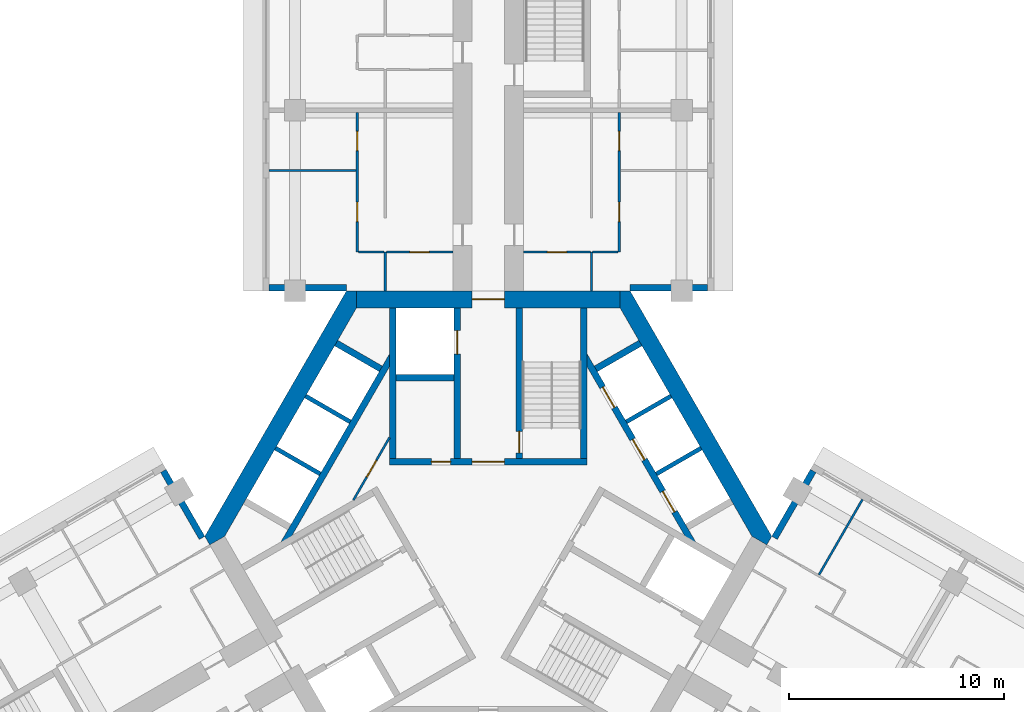
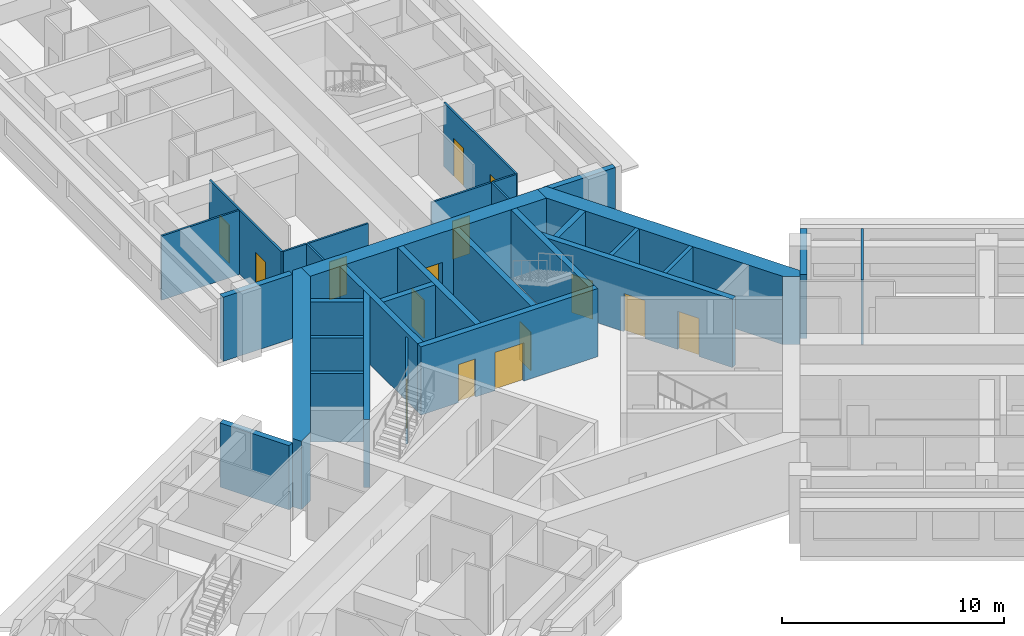
# One storey, part 8 of 15: 32 walls, 15 doors, 15 openings.
"""IFC4 building model written with IfcOpenShell, lengths in metres."""

from ifc_helpers import new_model, si_unit, direction, frame, frame_2d, origin, place, context, subcontext, project, spatial, polyline, rectangle, outline, extrude, material, layer, layer_set, type_object, element, fill, save


model = new_model("IFC4")

# Units and contexts
model_context = context("Model", 3, precision=1e-05, world=origin(), true_north=direction((0.0, 1.0)))
body_context = subcontext(model_context, "Body", "Model", "MODEL_VIEW")
ifc_project = project(units=[si_unit("LENGTHUNIT", "METRE"), si_unit("AREAUNIT", "SQUARE_METRE"), si_unit("VOLUMEUNIT", "CUBIC_METRE"), si_unit("PLANEANGLEUNIT", "RADIAN"), si_unit("MASSUNIT", "GRAM", prefix="KILO")], contexts=[model_context])

# Site, building, storey
site_placement = place(None, origin())
site = spatial("IfcSite", under=ifc_project, at=site_placement, CompositionType="ELEMENT")
building_placement = place(site_placement, origin())
building = spatial("IfcBuilding", under=site, at=building_placement, Name="Impinga Residences", CompositionType="ELEMENT")
storey_placement = place(building_placement, frame((0.0, 0.0, 109.75)))
storey = spatial("IfcBuildingStorey", under=building, at=storey_placement, Name="L26", CompositionType="ELEMENT", Elevation=109.75)

# Wall, opening, door
ifc_material_1 = material(Name="Concrete blockwork", Category="masonry")
ifc_layer_1 = layer(ifc_material_1, 0.10009765625)
ifc_layer_set_1 = layer_set([ifc_layer_1], Name="CP1 core room partition, blockwork 100")
wall_type_1 = type_object("IfcWallType", Name="CP1 core room partition, blockwork 100", PredefinedType="PARTITIONING", material=ifc_layer_set_1)
wall_1_placement = place(storey_placement, frame((-6.280029296875, 1.685791015625, 0.0), z_axis=(0.0, 0.0, 1.0), x_axis=(0.499976138585, 0.866039179741, 0.0)))
wall_1 = element("IfcWall", 1, at=wall_1_placement, inside=storey, type_object=wall_type_1, Name="Core room partition, blockwork L26:CORE:high:FP", PredefinedType="PARTITIONING", context=body_context, shape_type="SweptSolid", body=[
    extrude(rectangle(XDim=3.360107421875, YDim=0.10009765625, at=frame_2d((1.68017578125, 0.0))), origin(), (0.0, 0.0, 1.0), 3.530029296875),
])
opening_1_placement = place(wall_1_placement, frame((1.22998046875, 0.0, 0.0)))
opening_1 = element("IfcOpeningElement", 2, at=opening_1_placement, cuts=wall_1, Name="Opening D6", PredefinedType="OPENING", context=body_context, shape_type="SweptSolid", body=[
    extrude(rectangle(XDim=0.89990234375, YDim=2.10009765625, at=frame_2d((0.449951171875, 1.050048828125))), frame((0.0, 0.06005859375, 0.0), z_axis=(0.0, -1.0, 0.0), x_axis=(1.0, 0.0, 0.0)), (0.0, 0.0, 1.0), 0.1201171875),
])
ifc_material_2 = material(Name="Timber door set", Category="wood")
door_type_1 = type_object("IfcDoorType", Name="D6 riser and store door 900x2100", OperationType="SINGLE_SWING_LEFT", PredefinedType="DOOR", material=ifc_material_2)
door_1_placement = place(opening_1_placement, origin())
door_1 = element("IfcDoor", 3, at=door_1_placement, inside=storey, type_object=door_type_1, Name="Refuse and recycling room door", OperationType="SINGLE_SWING_RIGHT", OverallHeight=2.10009765625, OverallWidth=0.89990234375, PredefinedType="DOOR", context=body_context, shape_type="SweptSolid", body=[
    extrude(rectangle(XDim=0.89990234375, YDim=2.10009765625, at=frame_2d((0.449951171875, 1.050048828125))), frame((0.0, 0.02490234375, 0.0), z_axis=(0.0, -1.0, 0.0), x_axis=(1.0, 0.0, 0.0)), (0.0, 0.0, 1.0), 0.050048828125),
])
fill(opening_1, door_1)

# Walls
ifc_material_3 = material(Name="Terracotta rainscreen on blockwork", Category="masonry")
ifc_layer_2 = layer(ifc_material_3, 0.300048828125)
ifc_layer_set_2 = layer_set([ifc_layer_2], Name="EW1 external wall, terracotta rainscreen on blockwork 300")
wall_type_2 = type_object("IfcWallType", Name="EW1 external wall, terracotta rainscreen on blockwork 300", PredefinedType="SOLIDWALL", material=ifc_layer_set_2)
wall_2_placement = place(storey_placement, frame((-15.1298828125, 3.042724609375, 0.0), z_axis=(0.0, 0.0, 1.0), x_axis=(0.500012057535, -0.866018442252, 0.0)))
element("IfcWall", 4, at=wall_2_placement, inside=storey, type_object=wall_type_2, Name="External wall EW1 L26", PredefinedType="SOLIDWALL", context=body_context, shape_type="SweptSolid", body=[
    extrude(rectangle(XDim=3.60009765625, YDim=0.300048828125, at=frame_2d((1.800048828125, 0.0))), origin(), (0.0, 0.0, 1.0), 3.530029296875),
])
for number, where, z_axis, x_axis, name in (
    (5, (-6.60009765625, 11.58154296875, 0.0), (0.0, 0.0, 1.0), (-1.0, 0.0, 0.0), "External wall EW1 L26"),
    (6, (10.199951171875, 11.58154296875, 0.0), (0.0, 0.0, 1.0), (-1.0, 0.0, 0.0), "External wall EW1 L26"),
):
    element("IfcWall", number, at=place(storey_placement, frame(where, z_axis=z_axis, x_axis=x_axis)), inside=storey, type_object=wall_type_2, Name=name, PredefinedType="SOLIDWALL", context=body_context, shape_type="SweptSolid", body=[
        extrude(rectangle(XDim=3.599853515625, YDim=0.300048828125, at=frame_2d((1.7998046875, 0.0))), origin(), (0.0, 0.0, 1.0), 3.530029296875),
    ])
wall_3_placement = place(storey_placement, frame((13.329833984375, -0.074951171875, 0.0), z_axis=(0.0, 0.0, 1.0), x_axis=(0.500012057535, 0.866018442252, 0.0)))
element("IfcWall", 7, at=wall_3_placement, inside=storey, type_object=wall_type_2, Name="External wall EW1 L26", PredefinedType="SOLIDWALL", context=body_context, shape_type="SweptSolid", body=[
    extrude(rectangle(XDim=3.60009765625, YDim=0.300048828125, at=frame_2d((1.800048828125, 0.0))), origin(), (0.0, 0.0, 1.0), 3.530029296875),
])
ifc_material_4 = material(Name="Gypsum board on steel studs", Category="steel")
ifc_layer_3 = layer(ifc_material_4, 0.10009765625)
ifc_layer_set_3 = layer_set([ifc_layer_3], Name="Gypsum board on steel studs")
wall_type_3 = type_object("IfcWallType", Name="IP1 partition 100", PredefinedType="PARTITIONING", material=ifc_layer_set_3)
wall_4_placement = place(storey_placement, frame((-4.800048828125, 11.431640625, 0.0), z_axis=(0.0, 0.0, 1.0), x_axis=(0.0, 1.0, 0.0)))
element("IfcWall", 8, at=wall_4_placement, inside=storey, type_object=wall_type_3, Name="Partition L26-NA1:DIV0", PredefinedType="PARTITIONING", context=body_context, shape_type="SweptSolid", body=[
    extrude(rectangle(XDim=1.7998046875, YDim=0.10009765625, at=frame_2d((0.89990234375, 0.0))), origin(), (0.0, 0.0, 1.0), 3.530029296875),
])

# Wall, openings, doors
wall_5_placement = place(storey_placement, frame((-6.10009765625, 13.2314453125, 0.0), z_axis=(0.0, 0.0, 1.0), x_axis=(0.0, 1.0, 0.0)))
wall_5 = element("IfcWall", 9, at=wall_5_placement, inside=storey, type_object=wall_type_3, Name="Partition L26-NA1:STRIP", PredefinedType="PARTITIONING", context=body_context, shape_type="SweptSolid", body=[
    extrude(rectangle(XDim=6.5, YDim=0.10009765625, at=frame_2d((3.25, 0.0))), origin(), (0.0, 0.0, 1.0), 3.530029296875),
])
opening_2_placement = place(wall_5_placement, frame((1.425048828125, 0.0, 0.0)))
opening_2 = element("IfcOpeningElement", 10, at=opening_2_placement, cuts=wall_5, Name="Opening D2", PredefinedType="OPENING", context=body_context, shape_type="SweptSolid", body=[
    extrude(rectangle(XDim=0.89990234375, YDim=2.10009765625, at=frame_2d((0.449951171875, 1.050048828125))), frame((0.0, 0.06005859375, 0.0), z_axis=(0.0, -1.0, 0.0), x_axis=(1.0, 0.0, 0.0)), (0.0, 0.0, 1.0), 0.1201171875),
])
opening_3_placement = place(wall_5_placement, frame((4.72509765625, 0.0, 0.0)))
opening_3 = element("IfcOpeningElement", 11, at=opening_3_placement, cuts=wall_5, Name="Opening D2", PredefinedType="OPENING", context=body_context, shape_type="SweptSolid", body=[
    extrude(rectangle(XDim=0.89990234375, YDim=2.10009765625, at=frame_2d((0.449951171875, 1.050048828125))), frame((0.0, 0.06005859375, 0.0), z_axis=(0.0, -1.0, 0.0), x_axis=(1.0, 0.0, 0.0)), (0.0, 0.0, 1.0), 0.1201171875),
])
door_type_2 = type_object("IfcDoorType", Name="D2 internal door 900x2100", OperationType="SINGLE_SWING_LEFT", PredefinedType="DOOR", material=ifc_material_2)
door_2_placement = place(opening_2_placement, origin())
door_2 = element("IfcDoor", 12, at=door_2_placement, inside=storey, type_object=door_type_2, Name="Apartment L26-NA1 room door", OperationType="SINGLE_SWING_LEFT", OverallHeight=2.10009765625, OverallWidth=0.89990234375, PredefinedType="DOOR", context=body_context, shape_type="SweptSolid", body=[
    extrude(rectangle(XDim=0.89990234375, YDim=2.10009765625, at=frame_2d((0.449951171875, 1.050048828125))), frame((0.0, 0.02490234375, 0.0), z_axis=(0.0, -1.0, 0.0), x_axis=(1.0, 0.0, 0.0)), (0.0, 0.0, 1.0), 0.050048828125),
])
fill(opening_2, door_2)
door_3_placement = place(opening_3_placement, origin())
door_3 = element("IfcDoor", 13, at=door_3_placement, inside=storey, type_object=door_type_2, Name="Apartment L26-NA1 room door", OperationType="SINGLE_SWING_RIGHT", OverallHeight=2.10009765625, OverallWidth=0.89990234375, PredefinedType="DOOR", context=body_context, shape_type="SweptSolid", body=[
    extrude(rectangle(XDim=0.89990234375, YDim=2.10009765625, at=frame_2d((0.449951171875, 1.050048828125))), frame((0.0, 0.02490234375, 0.0), z_axis=(0.0, -1.0, 0.0), x_axis=(1.0, 0.0, 0.0)), (0.0, 0.0, 1.0), 0.050048828125),
])
fill(opening_3, door_3)

# Wall
wall_6_placement = place(storey_placement, frame((-4.85009765625, 13.2314453125, 0.0), z_axis=(0.0, 0.0, 1.0), x_axis=(-1.0, 0.0, 0.0)))
element("IfcWall", 14, at=wall_6_placement, inside=storey, type_object=wall_type_3, Name="Partition L26-NA1:SE0", PredefinedType="PARTITIONING", context=body_context, shape_type="SweptSolid", body=[
    extrude(rectangle(XDim=1.199951171875, YDim=0.10009765625, at=frame_2d((0.60009765625, 0.0))), origin(), (0.0, 0.0, 1.0), 3.530029296875),
])

# Wall, opening, door
wall_7_placement = place(storey_placement, frame((-1.64990234375, 13.2314453125, 0.0), z_axis=(0.0, 0.0, 1.0), x_axis=(-1.0, 0.0, 0.0)))
wall_7 = element("IfcWall", 15, at=wall_7_placement, inside=storey, type_object=wall_type_3, Name="Partition L26-NA1:IB1", PredefinedType="PARTITIONING", context=body_context, shape_type="SweptSolid", body=[
    extrude(rectangle(XDim=3.10009765625, YDim=0.10009765625, at=frame_2d((1.550048828125, 0.0))), origin(), (0.0, 0.0, 1.0), 3.530029296875),
])
opening_4_placement = place(wall_7_placement, frame((1.10009765625, 0.0, 0.0)))
opening_4 = element("IfcOpeningElement", 16, at=opening_4_placement, cuts=wall_7, Name="Opening D2", PredefinedType="OPENING", context=body_context, shape_type="SweptSolid", body=[
    extrude(rectangle(XDim=0.89990234375, YDim=2.10009765625, at=frame_2d((0.449951171875, 1.050048828125))), frame((0.0, 0.06005859375, 0.0), z_axis=(0.0, -1.0, 0.0), x_axis=(1.0, 0.0, 0.0)), (0.0, 0.0, 1.0), 0.1201171875),
])
door_4_placement = place(opening_4_placement, origin())
door_4 = element("IfcDoor", 17, at=door_4_placement, inside=storey, type_object=door_type_2, Name="Apartment L26-NA1 bathroom door", OperationType="SINGLE_SWING_LEFT", OverallHeight=2.10009765625, OverallWidth=0.89990234375, PredefinedType="DOOR", context=body_context, shape_type="SweptSolid", body=[
    extrude(rectangle(XDim=0.89990234375, YDim=2.10009765625, at=frame_2d((0.449951171875, 1.050048828125))), frame((0.0, 0.02490234375, 0.0), z_axis=(0.0, -1.0, 0.0), x_axis=(1.0, 0.0, 0.0)), (0.0, 0.0, 1.0), 0.050048828125),
])
fill(opening_4, door_4)

# Walls
wall_8_placement = place(storey_placement, frame((-6.14990234375, 17.031494140625, 0.0), z_axis=(0.0, 0.0, 1.0), x_axis=(-1.0, 0.0, 0.0)))
element("IfcWall", 18, at=wall_8_placement, inside=storey, type_object=wall_type_3, Name="Partition L26-NA1:OB1", PredefinedType="PARTITIONING", context=body_context, shape_type="SweptSolid", body=[
    extrude(rectangle(XDim=4.050048828125, YDim=0.10009765625, at=frame_2d((2.02490234375, 0.0))), origin(), (0.0, 0.0, 1.0), 3.530029296875),
])
wall_9_placement = place(storey_placement, frame((4.800048828125, 11.431640625, 0.0), z_axis=(0.0, 0.0, 1.0), x_axis=(0.0, 1.0, 0.0)))
element("IfcWall", 19, at=wall_9_placement, inside=storey, type_object=wall_type_3, Name="Partition L26-NF1:DIV0", PredefinedType="PARTITIONING", context=body_context, shape_type="SweptSolid", body=[
    extrude(rectangle(XDim=1.7998046875, YDim=0.10009765625, at=frame_2d((0.89990234375, 0.0))), origin(), (0.0, 0.0, 1.0), 3.530029296875),
])

# Wall, openings, doors
wall_10_placement = place(storey_placement, frame((6.10009765625, 13.2314453125, 0.0), z_axis=(0.0, 0.0, 1.0), x_axis=(0.0, 1.0, 0.0)))
wall_10 = element("IfcWall", 20, at=wall_10_placement, inside=storey, type_object=wall_type_3, Name="Partition L26-NF1:STRIP", PredefinedType="PARTITIONING", context=body_context, shape_type="SweptSolid", body=[
    extrude(rectangle(XDim=6.5, YDim=0.10009765625, at=frame_2d((3.25, 0.0))), origin(), (0.0, 0.0, 1.0), 3.530029296875),
])
opening_5_placement = place(wall_10_placement, frame((1.425048828125, 0.0, 0.0)))
opening_5 = element("IfcOpeningElement", 21, at=opening_5_placement, cuts=wall_10, Name="Opening D2", PredefinedType="OPENING", context=body_context, shape_type="SweptSolid", body=[
    extrude(rectangle(XDim=0.89990234375, YDim=2.10009765625, at=frame_2d((0.449951171875, 1.050048828125))), frame((0.0, 0.06005859375, 0.0), z_axis=(0.0, -1.0, 0.0), x_axis=(1.0, 0.0, 0.0)), (0.0, 0.0, 1.0), 0.1201171875),
])
opening_6_placement = place(wall_10_placement, frame((4.72509765625, 0.0, 0.0)))
opening_6 = element("IfcOpeningElement", 22, at=opening_6_placement, cuts=wall_10, Name="Opening D2", PredefinedType="OPENING", context=body_context, shape_type="SweptSolid", body=[
    extrude(rectangle(XDim=0.89990234375, YDim=2.10009765625, at=frame_2d((0.449951171875, 1.050048828125))), frame((0.0, 0.06005859375, 0.0), z_axis=(0.0, -1.0, 0.0), x_axis=(1.0, 0.0, 0.0)), (0.0, 0.0, 1.0), 0.1201171875),
])
door_5_placement = place(opening_5_placement, origin())
door_5 = element("IfcDoor", 23, at=door_5_placement, inside=storey, type_object=door_type_2, Name="Apartment L26-NF1 room door", OperationType="SINGLE_SWING_LEFT", OverallHeight=2.10009765625, OverallWidth=0.89990234375, PredefinedType="DOOR", context=body_context, shape_type="SweptSolid", body=[
    extrude(rectangle(XDim=0.89990234375, YDim=2.10009765625, at=frame_2d((0.449951171875, 1.050048828125))), frame((0.0, 0.02490234375, 0.0), z_axis=(0.0, -1.0, 0.0), x_axis=(1.0, 0.0, 0.0)), (0.0, 0.0, 1.0), 0.050048828125),
])
fill(opening_5, door_5)
door_6_placement = place(opening_6_placement, origin())
door_6 = element("IfcDoor", 24, at=door_6_placement, inside=storey, type_object=door_type_2, Name="Apartment L26-NF1 room door", OperationType="SINGLE_SWING_RIGHT", OverallHeight=2.10009765625, OverallWidth=0.89990234375, PredefinedType="DOOR", context=body_context, shape_type="SweptSolid", body=[
    extrude(rectangle(XDim=0.89990234375, YDim=2.10009765625, at=frame_2d((0.449951171875, 1.050048828125))), frame((0.0, 0.02490234375, 0.0), z_axis=(0.0, -1.0, 0.0), x_axis=(1.0, 0.0, 0.0)), (0.0, 0.0, 1.0), 0.050048828125),
])
fill(opening_6, door_6)

# Wall
wall_11_placement = place(storey_placement, frame((4.85009765625, 13.2314453125, 0.0), z_axis=(0.0, 0.0, 1.0), x_axis=(1.0, 0.0, 0.0)))
element("IfcWall", 25, at=wall_11_placement, inside=storey, type_object=wall_type_3, Name="Partition L26-NF1:SE0", PredefinedType="PARTITIONING", context=body_context, shape_type="SweptSolid", body=[
    extrude(rectangle(XDim=1.199951171875, YDim=0.10009765625, at=frame_2d((0.60009765625, 0.0))), origin(), (0.0, 0.0, 1.0), 3.530029296875),
])

# Wall, opening, door
wall_12_placement = place(storey_placement, frame((1.64990234375, 13.2314453125, 0.0), z_axis=(0.0, 0.0, 1.0), x_axis=(1.0, 0.0, 0.0)))
wall_12 = element("IfcWall", 26, at=wall_12_placement, inside=storey, type_object=wall_type_3, Name="Partition L26-NF1:IB1", PredefinedType="PARTITIONING", context=body_context, shape_type="SweptSolid", body=[
    extrude(rectangle(XDim=3.10009765625, YDim=0.10009765625, at=frame_2d((1.550048828125, 0.0))), origin(), (0.0, 0.0, 1.0), 3.530029296875),
])
opening_7_placement = place(wall_12_placement, frame((1.10009765625, 0.0, 0.0)))
opening_7 = element("IfcOpeningElement", 27, at=opening_7_placement, cuts=wall_12, Name="Opening D2", PredefinedType="OPENING", context=body_context, shape_type="SweptSolid", body=[
    extrude(rectangle(XDim=0.89990234375, YDim=2.10009765625, at=frame_2d((0.449951171875, 1.050048828125))), frame((0.0, 0.06005859375, 0.0), z_axis=(0.0, -1.0, 0.0), x_axis=(1.0, 0.0, 0.0)), (0.0, 0.0, 1.0), 0.1201171875),
])
door_7_placement = place(opening_7_placement, origin())
door_7 = element("IfcDoor", 28, at=door_7_placement, inside=storey, type_object=door_type_2, Name="Apartment L26-NF1 bathroom door", OperationType="SINGLE_SWING_LEFT", OverallHeight=2.10009765625, OverallWidth=0.89990234375, PredefinedType="DOOR", context=body_context, shape_type="SweptSolid", body=[
    extrude(rectangle(XDim=0.89990234375, YDim=2.10009765625, at=frame_2d((0.449951171875, 1.050048828125))), frame((0.0, 0.02490234375, 0.0), z_axis=(0.0, -1.0, 0.0), x_axis=(1.0, 0.0, 0.0)), (0.0, 0.0, 1.0), 0.050048828125),
])
fill(opening_7, door_7)

# Wall
wall_13_placement = place(storey_placement, frame((15.39990234375, -1.789794921875, 0.0), z_axis=(0.0, 0.0, 1.0), x_axis=(0.499964223975, 0.866046058097, 0.0)))
element("IfcWall", 29, at=wall_13_placement, inside=storey, type_object=wall_type_3, Name="Partition L26-EA1:OB1", PredefinedType="PARTITIONING", context=body_context, shape_type="SweptSolid", body=[
    extrude(rectangle(XDim=4.050048828125, YDim=0.10009765625, at=frame_2d((2.02490234375, 0.0))), origin(), (0.0, 0.0, 1.0), 3.530029296875),
])

# Wall, opening, door
ifc_material_5 = material(Name="Concrete C60/75", Category="concrete")
ifc_layer_4 = layer(ifc_material_5, 0.800048828125)
ifc_layer_set_4 = layer_set([ifc_layer_4], Name="Concrete C60/75")
wall_type_4 = type_object("IfcWallType", Name="SW2 core wall 800", PredefinedType="SHEAR", material=ifc_layer_set_4)
wall_14_placement = place(storey_placement, frame((-6.13818359375, 11.031494140625, 0.0), z_axis=(0.0, 0.0, 1.0), x_axis=(1.0, 0.0, 0.0)))
wall_14 = element("IfcWall", 30, at=wall_14_placement, inside=storey, type_object=wall_type_4, Name="Core wall SW2 N:FACE L26", PredefinedType="SHEAR", context=body_context, shape_type="SweptSolid", body=[
    extrude(rectangle(XDim=12.2763671875, YDim=0.800048828125, at=frame_2d((6.13818359375, 0.0))), origin(), (0.0, 0.0, 1.0), 3.75),
])
opening_8_placement = place(wall_14_placement, frame((5.38818359375, 0.0, 0.0)))
opening_8 = element("IfcOpeningElement", 31, at=opening_8_placement, cuts=wall_14, Name="Opening D4", PredefinedType="OPENING", context=body_context, shape_type="SweptSolid", body=[
    extrude(rectangle(XDim=1.5, YDim=2.10009765625, at=frame_2d((0.75, 1.050048828125))), frame((0.0, 0.409912109375, 0.0), z_axis=(0.0, -1.0, 0.0), x_axis=(1.0, 0.0, 0.0)), (0.0, 0.0, 1.0), 0.820068359375),
])
door_type_3 = type_object("IfcDoorType", Name="D4 lobby door pair 1500x2100", OperationType="DOUBLE_DOOR_DOUBLE_SWING", PredefinedType="DOOR", material=ifc_material_2)
door_8_placement = place(opening_8_placement, origin())
door_8 = element("IfcDoor", 32, at=door_8_placement, inside=storey, type_object=door_type_3, Name="Lobby door N", OperationType="DOUBLE_DOOR_DOUBLE_SWING", OverallHeight=2.10009765625, OverallWidth=1.5, PredefinedType="DOOR", context=body_context, shape_type="SweptSolid", body=[
    extrude(rectangle(XDim=1.5, YDim=2.10009765625, at=frame_2d((0.75, 1.050048828125))), frame((0.0, 0.02490234375, 0.0), z_axis=(0.0, -1.0, 0.0), x_axis=(1.0, 0.0, 0.0)), (0.0, 0.0, 1.0), 0.050048828125),
])
fill(opening_8, door_8)

# Walls
wall_15_placement = place(storey_placement, origin())
element("IfcWall", 33, at=wall_15_placement, inside=storey, type_object=wall_type_4, Name="Core wall SW2 W:EXPOSED L26", PredefinedType="SHEAR", context=body_context, shape_type="SweptSolid", body=[
    extrude(outline(polyline([(13.199951171875, 0.0), (6.60009765625, 11.431640625), (6.13818359375, 11.431640625), (6.13818359375, 10.631591796875), (12.276123046875, 0.0), (12.968994140625, -0.39990234375), (13.199951171875, 0.0)])), origin(), (0.0, 0.0, 1.0), 3.75),
])
wall_16_placement = place(storey_placement, origin())
element("IfcWall", 34, at=wall_16_placement, inside=storey, type_object=wall_type_4, Name="Core wall SW2 E:EXPOSED L26", PredefinedType="SHEAR", context=body_context, shape_type="SweptSolid", body=[
    extrude(outline(polyline([(-6.60009765625, 11.431640625), (-13.199951171875, 0.0), (-12.968994140625, -0.39990234375), (-12.276123046875, 0.0), (-6.13818359375, 10.631591796875), (-6.13818359375, 11.431640625), (-6.60009765625, 11.431640625)])), origin(), (0.0, 0.0, 1.0), 3.75),
])

# Wall, openings, doors
ifc_material_6 = material(Name="Concrete C70/85", Category="concrete")
ifc_layer_5 = layer(ifc_material_6, 0.300048828125)
ifc_layer_set_5 = layer_set([ifc_layer_5], Name="Concrete C70/85")
wall_type_5 = type_object("IfcWallType", Name="SW5 core inner wall, stairs, shafts and lobbies 300", PredefinedType="SHEAR", material=ifc_layer_set_5)
wall_17_placement = place(storey_placement, frame((-4.60009765625, 3.47998046875, 0.0), z_axis=(0.0, 0.0, 1.0), x_axis=(1.0, 0.0, 0.0)))
wall_17 = element("IfcWall", 35, at=wall_17_placement, inside=storey, type_object=wall_type_5, Name="Core wall SW5 N:ZONE L26", PredefinedType="SHEAR", context=body_context, shape_type="SweptSolid", body=[
    extrude(rectangle(XDim=9.2001953125, YDim=0.300048828125, at=frame_2d((4.60009765625, 0.0))), origin(), (0.0, 0.0, 1.0), 3.75),
])
opening_9_placement = place(wall_17_placement, frame((3.85009765625, 0.0, 0.0)))
opening_9 = element("IfcOpeningElement", 36, at=opening_9_placement, cuts=wall_17, Name="Opening D4", PredefinedType="OPENING", context=body_context, shape_type="SweptSolid", body=[
    extrude(rectangle(XDim=1.5, YDim=2.10009765625, at=frame_2d((0.75, 1.050048828125))), frame((0.0, 0.159912109375, 0.0), z_axis=(0.0, -1.0, 0.0), x_axis=(1.0, 0.0, 0.0)), (0.0, 0.0, 1.0), 0.320068359375),
])
opening_10_placement = place(wall_17_placement, frame((1.949951171875, 0.0, 0.0)))
opening_10 = element("IfcOpeningElement", 37, at=opening_10_placement, cuts=wall_17, Name="Opening D6", PredefinedType="OPENING", context=body_context, shape_type="SweptSolid", body=[
    extrude(rectangle(XDim=0.89990234375, YDim=2.10009765625, at=frame_2d((0.449951171875, 1.050048828125))), frame((0.0, 0.159912109375, 0.0), z_axis=(0.0, -1.0, 0.0), x_axis=(1.0, 0.0, 0.0)), (0.0, 0.0, 1.0), 0.320068359375),
])
door_9_placement = place(opening_9_placement, origin())
door_9 = element("IfcDoor", 38, at=door_9_placement, inside=storey, type_object=door_type_3, Name="Firefighting lobby door N", OperationType="DOUBLE_DOOR_DOUBLE_SWING", OverallHeight=2.10009765625, OverallWidth=1.5, PredefinedType="DOOR", context=body_context, shape_type="SweptSolid", body=[
    extrude(rectangle(XDim=1.5, YDim=2.10009765625, at=frame_2d((0.75, 1.050048828125))), frame((0.0, 0.02490234375, 0.0), z_axis=(0.0, -1.0, 0.0), x_axis=(1.0, 0.0, 0.0)), (0.0, 0.0, 1.0), 0.050048828125),
])
fill(opening_9, door_9)
door_10_placement = place(opening_10_placement, origin())
door_10 = element("IfcDoor", 39, at=door_10_placement, inside=storey, type_object=door_type_1, Name="Riser door N", OperationType="SINGLE_SWING_LEFT", OverallHeight=2.10009765625, OverallWidth=0.89990234375, PredefinedType="DOOR", context=body_context, shape_type="SweptSolid", body=[
    extrude(rectangle(XDim=0.89990234375, YDim=2.10009765625, at=frame_2d((0.449951171875, 1.050048828125))), frame((0.0, 0.02490234375, 0.0), z_axis=(0.0, -1.0, 0.0), x_axis=(1.0, 0.0, 0.0)), (0.0, 0.0, 1.0), 0.050048828125),
])
fill(opening_10, door_10)

# Wall, opening, door
wall_18_placement = place(storey_placement, frame((1.449951171875, 3.6298828125, 0.0), z_axis=(0.0, 0.0, 1.0), x_axis=(0.0, 1.0, 0.0)))
wall_18 = element("IfcWall", 40, at=wall_18_placement, inside=storey, type_object=wall_type_5, Name="Core wall SW5 N:ST-IN L26", PredefinedType="SHEAR", context=body_context, shape_type="SweptSolid", body=[
    extrude(rectangle(XDim=7.001708984375, YDim=0.300048828125, at=frame_2d((3.5009765625, 0.0))), origin(), (0.0, 0.0, 1.0), 3.75),
])
opening_11_placement = place(wall_18_placement, frame((0.25, 0.0, 0.0)))
opening_11 = element("IfcOpeningElement", 41, at=opening_11_placement, cuts=wall_18, Name="Opening D5", PredefinedType="OPENING", context=body_context, shape_type="SweptSolid", body=[
    extrude(rectangle(XDim=1.0, YDim=2.10009765625, at=frame_2d((0.5, 1.050048828125))), frame((0.0, 0.159912109375, 0.0), z_axis=(0.0, -1.0, 0.0), x_axis=(1.0, 0.0, 0.0)), (0.0, 0.0, 1.0), 0.320068359375),
])
door_type_4 = type_object("IfcDoorType", Name="D5 stair door 1000x2100", OperationType="SINGLE_SWING_LEFT", PredefinedType="DOOR", material=ifc_material_2)
door_11_placement = place(opening_11_placement, origin())
door_11 = element("IfcDoor", 42, at=door_11_placement, inside=storey, type_object=door_type_4, Name="Stair door N", OperationType="SINGLE_SWING_LEFT", OverallHeight=2.10009765625, OverallWidth=1.0, PredefinedType="DOOR", context=body_context, shape_type="SweptSolid", body=[
    extrude(rectangle(XDim=1.0, YDim=2.10009765625, at=frame_2d((0.5, 1.050048828125))), frame((0.0, 0.02490234375, 0.0), z_axis=(0.0, -1.0, 0.0), x_axis=(1.0, 0.0, 0.0)), (0.0, 0.0, 1.0), 0.050048828125),
])
fill(opening_11, door_11)

# Wall
wall_19_placement = place(storey_placement, frame((4.449951171875, 3.6298828125, 0.0), z_axis=(0.0, 0.0, 1.0), x_axis=(0.0, 1.0, 0.0)))
element("IfcWall", 43, at=wall_19_placement, inside=storey, type_object=wall_type_5, Name="Core wall SW5 N:ST-OUT L26", PredefinedType="SHEAR", context=body_context, shape_type="SweptSolid", body=[
    extrude(rectangle(XDim=7.001708984375, YDim=0.300048828125, at=frame_2d((3.5009765625, 0.0))), origin(), (0.0, 0.0, 1.0), 3.75),
])

# Wall, opening, door
wall_20_placement = place(storey_placement, frame((-1.449951171875, 3.6298828125, 0.0), z_axis=(0.0, 0.0, 1.0), x_axis=(0.0, 1.0, 0.0)))
wall_20 = element("IfcWall", 44, at=wall_20_placement, inside=storey, type_object=wall_type_5, Name="Core wall SW5 N:FF-IN L26", PredefinedType="SHEAR", context=body_context, shape_type="SweptSolid", body=[
    extrude(rectangle(XDim=7.001708984375, YDim=0.300048828125, at=frame_2d((3.5009765625, 0.0))), origin(), (0.0, 0.0, 1.0), 3.75),
])
opening_12_placement = place(wall_20_placement, frame((4.85009765625, 0.0, 0.0)))
opening_12 = element("IfcOpeningElement", 45, at=opening_12_placement, cuts=wall_20, Name="Opening LD2", PredefinedType="OPENING", context=body_context, shape_type="SweptSolid", body=[
    extrude(rectangle(XDim=1.10009765625, YDim=2.10009765625, at=frame_2d((0.550048828125, 1.050048828125))), frame((0.0, 0.159912109375, 0.0), z_axis=(0.0, -1.0, 0.0), x_axis=(1.0, 0.0, 0.0)), (0.0, 0.0, 1.0), 0.320068359375),
])
ifc_material_7 = material(Name="Steel lift landing door", Category="steel")
door_type_5 = type_object("IfcDoorType", Name="LD2 firefighting lift landing door 1100x2100", OperationType="DOUBLE_DOOR_SLIDING", PredefinedType="DOOR", material=ifc_material_7)
door_12_placement = place(opening_12_placement, origin())
door_12 = element("IfcDoor", 46, at=door_12_placement, inside=storey, type_object=door_type_5, Name="Firefighting lift landing door F1", OperationType="DOUBLE_DOOR_SLIDING", OverallHeight=2.10009765625, OverallWidth=1.10009765625, PredefinedType="DOOR", context=body_context, shape_type="SweptSolid", body=[
    extrude(rectangle(XDim=1.10009765625, YDim=2.10009765625, at=frame_2d((0.550048828125, 1.050048828125))), frame((0.0, 0.02490234375, 0.0), z_axis=(0.0, -1.0, 0.0), x_axis=(1.0, 0.0, 0.0)), (0.0, 0.0, 1.0), 0.050048828125),
])
fill(opening_12, door_12)

# Walls
wall_21_placement = place(storey_placement, frame((-4.449951171875, 3.6298828125, 0.0), z_axis=(0.0, 0.0, 1.0), x_axis=(0.0, 1.0, 0.0)))
element("IfcWall", 47, at=wall_21_placement, inside=storey, type_object=wall_type_5, Name="Core wall SW5 N:FF-OUT L26", PredefinedType="SHEAR", context=body_context, shape_type="SweptSolid", body=[
    extrude(rectangle(XDim=7.001708984375, YDim=0.300048828125, at=frame_2d((3.5009765625, 0.0))), origin(), (0.0, 0.0, 1.0), 3.75),
])
wall_22_placement = place(storey_placement, frame((-4.300048828125, 7.3798828125, 0.0), z_axis=(0.0, 0.0, 1.0), x_axis=(1.0, 0.0, 0.0)))
element("IfcWall", 48, at=wall_22_placement, inside=storey, type_object=wall_type_5, Name="Core wall SW5 N:FF-RS L26", PredefinedType="SHEAR", context=body_context, shape_type="SweptSolid", body=[
    extrude(rectangle(XDim=2.699951171875, YDim=0.300048828125, at=frame_2d((1.35009765625, 0.0))), origin(), (0.0, 0.0, 1.0), 3.75),
])

# Wall, openings, doors
wall_23_placement = place(storey_placement, frame((4.449951171875, 8.455322265625, 0.0), z_axis=(0.0, 0.0, 1.0), x_axis=(0.500002290144, -0.866024081565, 0.0)))
wall_23 = element("IfcWall", 49, at=wall_23_placement, inside=storey, type_object=wall_type_5, Name="Core wall SW5 W:BANK-FRONT L26", PredefinedType="SHEAR", context=body_context, shape_type="SweptSolid", body=[
    extrude(rectangle(XDim=10.1953125, YDim=0.300048828125, at=frame_2d((5.09765625, 0.0))), origin(), (0.0, 0.0, 1.0), 3.75),
])
opening_13_placement = place(wall_23_placement, frame((1.74755859375, 0.0, 0.0)))
opening_13 = element("IfcOpeningElement", 50, at=opening_13_placement, cuts=wall_23, Name="Opening LD1", PredefinedType="OPENING", context=body_context, shape_type="SweptSolid", body=[
    extrude(rectangle(XDim=1.10009765625, YDim=2.10009765625, at=frame_2d((0.550048828125, 1.050048828125))), frame((0.0, 0.159912109375, 0.0), z_axis=(0.0, -1.0, 0.0), x_axis=(1.0, 0.0, 0.0)), (0.0, 0.0, 1.0), 0.320068359375),
])
opening_14_placement = place(wall_23_placement, frame((4.547607421875, 0.0, 0.0)))
opening_14 = element("IfcOpeningElement", 51, at=opening_14_placement, cuts=wall_23, Name="Opening LD1", PredefinedType="OPENING", context=body_context, shape_type="SweptSolid", body=[
    extrude(rectangle(XDim=1.10009765625, YDim=2.10009765625, at=frame_2d((0.550048828125, 1.050048828125))), frame((0.0, 0.159912109375, 0.0), z_axis=(0.0, -1.0, 0.0), x_axis=(1.0, 0.0, 0.0)), (0.0, 0.0, 1.0), 0.320068359375),
])
opening_15_placement = place(wall_23_placement, frame((7.34765625, 0.0, 0.0)))
opening_15 = element("IfcOpeningElement", 52, at=opening_15_placement, cuts=wall_23, Name="Opening LD1", PredefinedType="OPENING", context=body_context, shape_type="SweptSolid", body=[
    extrude(rectangle(XDim=1.10009765625, YDim=2.10009765625, at=frame_2d((0.550048828125, 1.050048828125))), frame((0.0, 0.159912109375, 0.0), z_axis=(0.0, -1.0, 0.0), x_axis=(1.0, 0.0, 0.0)), (0.0, 0.0, 1.0), 0.320068359375),
])
door_type_6 = type_object("IfcDoorType", Name="LD1 passenger lift landing door 1100x2100", OperationType="DOUBLE_DOOR_SLIDING", PredefinedType="DOOR", material=ifc_material_7)
door_13_placement = place(opening_13_placement, origin())
door_13 = element("IfcDoor", 53, at=door_13_placement, inside=storey, type_object=door_type_6, Name="Lift landing door P4", OperationType="DOUBLE_DOOR_SLIDING", OverallHeight=2.10009765625, OverallWidth=1.10009765625, PredefinedType="DOOR", context=body_context, shape_type="SweptSolid", body=[
    extrude(rectangle(XDim=1.10009765625, YDim=2.10009765625, at=frame_2d((0.550048828125, 1.050048828125))), frame((0.0, 0.02490234375, 0.0), z_axis=(0.0, -1.0, 0.0), x_axis=(1.0, 0.0, 0.0)), (0.0, 0.0, 1.0), 0.050048828125),
])
fill(opening_13, door_13)
door_14_placement = place(opening_14_placement, origin())
door_14 = element("IfcDoor", 54, at=door_14_placement, inside=storey, type_object=door_type_6, Name="Lift landing door P5", OperationType="DOUBLE_DOOR_SLIDING", OverallHeight=2.10009765625, OverallWidth=1.10009765625, PredefinedType="DOOR", context=body_context, shape_type="SweptSolid", body=[
    extrude(rectangle(XDim=1.10009765625, YDim=2.10009765625, at=frame_2d((0.550048828125, 1.050048828125))), frame((0.0, 0.02490234375, 0.0), z_axis=(0.0, -1.0, 0.0), x_axis=(1.0, 0.0, 0.0)), (0.0, 0.0, 1.0), 0.050048828125),
])
fill(opening_14, door_14)
door_15_placement = place(opening_15_placement, origin())
door_15 = element("IfcDoor", 55, at=door_15_placement, inside=storey, type_object=door_type_6, Name="Lift landing door P6", OperationType="DOUBLE_DOOR_SLIDING", OverallHeight=2.10009765625, OverallWidth=1.10009765625, PredefinedType="DOOR", context=body_context, shape_type="SweptSolid", body=[
    extrude(rectangle(XDim=1.10009765625, YDim=2.10009765625, at=frame_2d((0.550048828125, 1.050048828125))), frame((0.0, 0.02490234375, 0.0), z_axis=(0.0, -1.0, 0.0), x_axis=(1.0, 0.0, 0.0)), (0.0, 0.0, 1.0), 0.050048828125),
])
fill(opening_15, door_15)

# Walls
wall_24_placement = place(storey_placement, frame((5.003662109375, 7.79638671875, 0.0), z_axis=(0.0, 0.0, 1.0), x_axis=(0.866050077142, 0.499957262057, 0.0)))
element("IfcWall", 56, at=wall_24_placement, inside=storey, type_object=wall_type_5, Name="Core wall SW5 W:BANK-L L26", PredefinedType="SHEAR", context=body_context, shape_type="SweptSolid", body=[
    extrude(rectangle(XDim=2.400146484375, YDim=0.300048828125, at=frame_2d((1.2001953125, 0.0))), origin(), (0.0, 0.0, 1.0), 3.75),
])
wall_25_placement = place(storey_placement, frame((-9.547607421875, -0.3740234375, 0.0), z_axis=(0.0, 0.0, 1.0), x_axis=(0.500002290144, 0.866024081565, 0.0)))
element("IfcWall", 57, at=wall_25_placement, inside=storey, type_object=wall_type_5, Name="Core wall SW5 E:BANK-FRONT L26", PredefinedType="SHEAR", context=body_context, shape_type="SweptSolid", body=[
    extrude(rectangle(XDim=10.1953125, YDim=0.300048828125, at=frame_2d((5.09765625, 0.0))), origin(), (0.0, 0.0, 1.0), 3.75),
])
wall_26_placement = place(storey_placement, frame((-5.003662109375, 7.79638671875, 0.0), z_axis=(0.0, 0.0, 1.0), x_axis=(-0.866050077142, 0.499957262057, 0.0)))
element("IfcWall", 58, at=wall_26_placement, inside=storey, type_object=wall_type_5, Name="Core wall SW5 E:BANK-R L26", PredefinedType="SHEAR", context=body_context, shape_type="SweptSolid", body=[
    extrude(rectangle(XDim=2.400146484375, YDim=0.300048828125, at=frame_2d((1.2001953125, 0.0))), origin(), (0.0, 0.0, 1.0), 3.75),
])
ifc_layer_6 = layer(ifc_material_6, 0.199951171875)
ifc_layer_set_6 = layer_set([ifc_layer_6], Name="Concrete C70/85")
wall_type_6 = type_object("IfcWallType", Name="SW6 lift shaft divider wall 200", PredefinedType="SHEAR", material=ifc_layer_set_6)
wall_27_placement = place(storey_placement, frame((6.4287109375, 5.328125, 0.0), z_axis=(0.0, 0.0, 1.0), x_axis=(0.865980596518, 0.500077600433, 0.0)))
element("IfcWall", 59, at=wall_27_placement, inside=storey, type_object=wall_type_6, Name="Core wall SW6 W:BANK-D1 L26", PredefinedType="SHEAR", context=body_context, shape_type="SweptSolid", body=[
    extrude(rectangle(XDim=2.39990234375, YDim=0.199951171875, at=frame_2d((1.199951171875, 0.0))), origin(), (0.0, 0.0, 1.0), 3.75),
])
for number, where, z_axis, x_axis, name in (
    (60, (7.82861328125, 2.9033203125, 0.0), (0.0, 0.0, 1.0), (0.866050077142, 0.499957262057, 0.0), "Core wall SW6 W:BANK-D2 L26"),
    (61, (-7.82861328125, 2.9033203125, 0.0), (0.0, 0.0, 1.0), (-0.866050077142, 0.499957262057, 0.0), "Core wall SW6 E:BANK-D1 L26"),
):
    element("IfcWall", number, at=place(storey_placement, frame(where, z_axis=z_axis, x_axis=x_axis)), inside=storey, type_object=wall_type_6, Name=name, PredefinedType="SHEAR", context=body_context, shape_type="SweptSolid", body=[
        extrude(rectangle(XDim=2.400146484375, YDim=0.199951171875, at=frame_2d((1.2001953125, 0.0))), origin(), (0.0, 0.0, 1.0), 3.75),
    ])
wall_28_placement = place(storey_placement, frame((-6.4287109375, 5.328125, 0.0), z_axis=(0.0, 0.0, 1.0), x_axis=(-0.865980596518, 0.500077600433, 0.0)))
element("IfcWall", 62, at=wall_28_placement, inside=storey, type_object=wall_type_6, Name="Core wall SW6 E:BANK-D2 L26", PredefinedType="SHEAR", context=body_context, shape_type="SweptSolid", body=[
    extrude(rectangle(XDim=2.39990234375, YDim=0.199951171875, at=frame_2d((1.199951171875, 0.0))), origin(), (0.0, 0.0, 1.0), 3.75),
])

save(model, "model.ifc")
